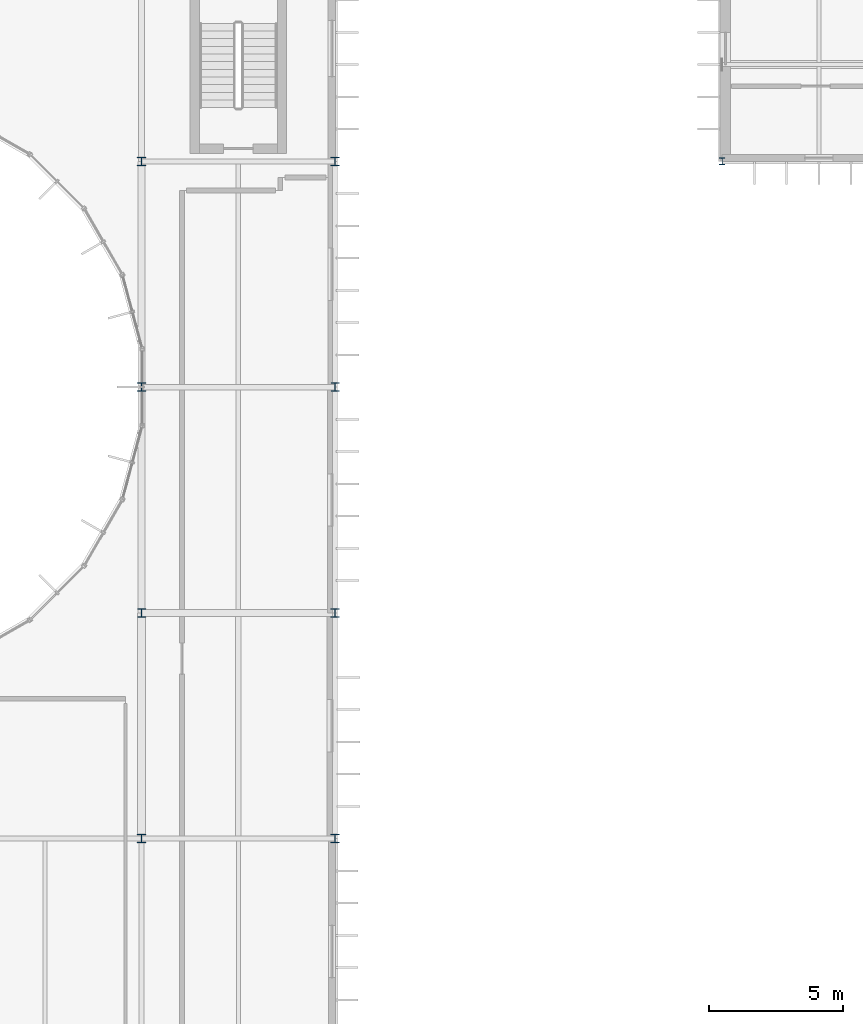
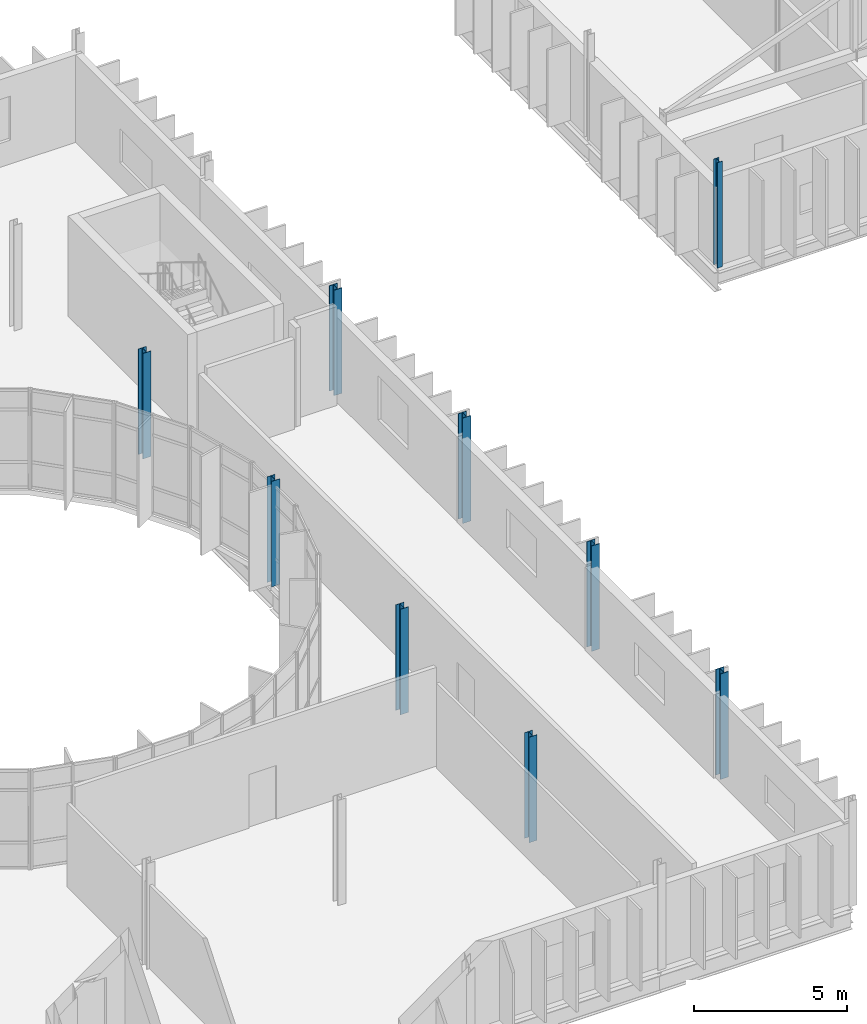
# One storey, part 3 of 52: 9 columns.
"""IFC4 building model written with IfcOpenShell, lengths in metres."""

from ifc_helpers import new_model, si_unit, direction, frame, origin, origin_2d, place, context, subcontext, project, spatial, i_section, extrude, material, material_profile, profile_set, type_object, element, save


model = new_model("IFC4")

# Units and contexts
model_context = context("Model", 3, precision=1e-05, world=origin(), true_north=direction((0.0, 1.0)))
body_context = subcontext(model_context, "Body", "Model", "MODEL_VIEW")
ifc_project = project(units=[si_unit("LENGTHUNIT", "METRE"), si_unit("AREAUNIT", "SQUARE_METRE"), si_unit("VOLUMEUNIT", "CUBIC_METRE"), si_unit("PLANEANGLEUNIT", "RADIAN"), si_unit("MASSUNIT", "GRAM", prefix="KILO")], contexts=[model_context])

# Site, building, storey
site_placement = place(None, origin())
site = spatial("IfcSite", under=ifc_project, at=site_placement, CompositionType="ELEMENT")
building_placement = place(site_placement, origin())
building = spatial("IfcBuilding", under=site, at=building_placement, Name="Qelthora Terrace Specialist Clinic", CompositionType="ELEMENT")
storey_placement = place(building_placement, frame((0.0, 0.0, 17.39990234375)))
storey = spatial("IfcBuildingStorey", under=building, at=storey_placement, Name="L04", CompositionType="ELEMENT", Elevation=17.39990234375)

# Columns
ifc_material = material(Name="Steel S355", Category="steel")
ifc_material_profile_1 = material_profile(ifc_material, i_section(OverallWidth=0.2041015625, OverallDepth=0.257080078125, WebThickness=0.0087890625, FlangeThickness=0.015625, FilletRadius=0.012939453125, at=origin_2d()), Name="W250X67")
ifc_profile_set_1 = profile_set([ifc_material_profile_1], Name="Steel S355")
column_type_1 = type_object("IfcColumnType", Name="COL-W250X67", PredefinedType="COLUMN", material=ifc_profile_set_1)
column_placement = place(storey_placement, frame((57.60009765625, 92.39990234375, 0.0), z_axis=(0.0, 0.0, 1.0), x_axis=(1.0, 0.0, 0.0)))
element("IfcColumn", 1, at=column_placement, inside=storey, type_object=column_type_1, Name="Column L04-111", PredefinedType="COLUMN", context=body_context, shape_type="SweptSolid", body=[
    extrude(i_section(OverallWidth=0.2041015625, OverallDepth=0.257080078125, WebThickness=0.0087890625, FlangeThickness=0.015625, FilletRadius=0.012939453125, at=origin_2d()), origin(), (0.0, 0.0, 1.0), 4.2001953125),
])
ifc_material_profile_2 = material_profile(ifc_material, i_section(OverallWidth=0.305908203125, OverallDepth=0.31103515625, WebThickness=0.010986328125, FlangeThickness=0.01708984375, FilletRadius=0.014892578125, at=origin_2d()), Name="W310X107")
ifc_profile_set_2 = profile_set([ifc_material_profile_2], Name="Steel S355")
column_type_2 = type_object("IfcColumnType", Name="COL-W310X107", PredefinedType="COLUMN", material=ifc_profile_set_2)
for number, where, z_axis, x_axis, name in (
    (2, (36.0, 67.199951171875, 0.0), (0.0, 0.0, 1.0), (1.0, 0.0, 0.0), "Column L04-073"),
    (3, (36.0, 92.39990234375, 0.0), (0.0, 0.0, 1.0), (1.0, 0.0, 0.0), "Column L04-076"),
    (4, (43.199951171875, 75.60009765625, 0.0), (0.0, 0.0, 1.0), (1.0, 0.0, 0.0), "Column L04-088"),
):
    element("IfcColumn", number, at=place(storey_placement, frame(where, z_axis=z_axis, x_axis=x_axis)), inside=storey, type_object=column_type_2, Name=name, PredefinedType="COLUMN", context=body_context, shape_type="SweptSolid", body=[
        extrude(i_section(OverallWidth=0.305908203125, OverallDepth=0.31103515625, WebThickness=0.010986328125, FlangeThickness=0.01708984375, FilletRadius=0.014892578125, at=origin_2d()), origin(), (0.0, 0.0, 1.0), 4.2001953125),
    ])
ifc_material_profile_3 = material_profile(ifc_material, i_section(OverallWidth=0.306884765625, OverallDepth=0.31396484375, WebThickness=0.011962890625, FlangeThickness=0.018798828125, FilletRadius=0.01611328125, at=origin_2d()), Name="W310X118")
ifc_profile_set_3 = profile_set([ifc_material_profile_3], Name="Steel S355")
column_type_3 = type_object("IfcColumnType", Name="COL-W310X118", PredefinedType="COLUMN", material=ifc_profile_set_3)
for number, where, z_axis, x_axis, name in (
    (5, (36.0, 84.0, 0.0), (0.0, 0.0, 1.0), (1.0, 0.0, 0.0), "Column L04-075"),
    (6, (43.199951171875, 67.199951171875, 0.0), (0.0, 0.0, 1.0), (1.0, 0.0, 0.0), "Column L04-087"),
    (7, (43.199951171875, 92.39990234375, 0.0), (0.0, 0.0, 1.0), (1.0, 0.0, 0.0), "Column L04-090"),
):
    element("IfcColumn", number, at=place(storey_placement, frame(where, z_axis=z_axis, x_axis=x_axis)), inside=storey, type_object=column_type_3, Name=name, PredefinedType="COLUMN", context=body_context, shape_type="SweptSolid", body=[
        extrude(i_section(OverallWidth=0.306884765625, OverallDepth=0.31396484375, WebThickness=0.011962890625, FlangeThickness=0.018798828125, FilletRadius=0.01611328125, at=origin_2d()), origin(), (0.0, 0.0, 1.0), 4.2001953125),
    ])
ifc_material_profile_4 = material_profile(ifc_material, i_section(OverallWidth=0.304931640625, OverallDepth=0.30810546875, WebThickness=0.010009765625, FlangeThickness=0.015380859375, FilletRadius=0.014892578125, at=origin_2d()), Name="W310X97")
ifc_profile_set_4 = profile_set([ifc_material_profile_4], Name="Steel S355")
column_type_4 = type_object("IfcColumnType", Name="COL-W310X97", PredefinedType="COLUMN", material=ifc_profile_set_4)
for number, where, z_axis, x_axis, name in (
    (8, (36.0, 75.60009765625, 0.0), (0.0, 0.0, 1.0), (1.0, 0.0, 0.0), "Column L04-074"),
    (9, (43.199951171875, 84.0, 0.0), (0.0, 0.0, 1.0), (1.0, 0.0, 0.0), "Column L04-089"),
):
    element("IfcColumn", number, at=place(storey_placement, frame(where, z_axis=z_axis, x_axis=x_axis)), inside=storey, type_object=column_type_4, Name=name, PredefinedType="COLUMN", context=body_context, shape_type="SweptSolid", body=[
        extrude(i_section(OverallWidth=0.304931640625, OverallDepth=0.30810546875, WebThickness=0.010009765625, FlangeThickness=0.015380859375, FilletRadius=0.014892578125, at=origin_2d()), origin(), (0.0, 0.0, 1.0), 4.2001953125),
    ])

save(model, "model.ifc")
